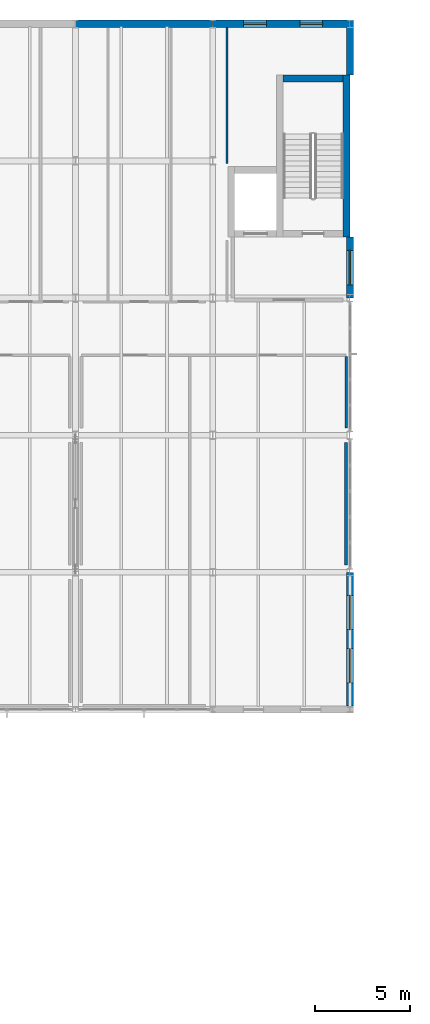
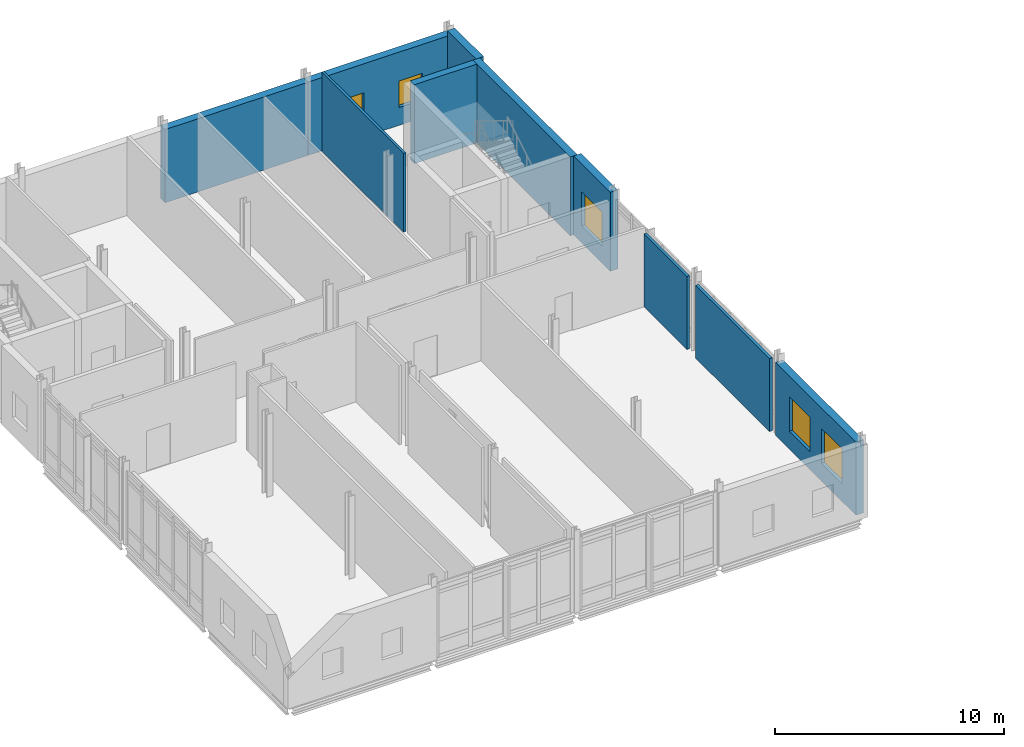
# One storey, part 62 of 72: 10 walls, 5 windows, 5 openings.
"""IFC4 building model written with IfcOpenShell, lengths in metres."""

from ifc_helpers import new_model, si_unit, direction, frame, frame_2d, origin, place, context, subcontext, project, spatial, rectangle, extrude, material, layer, layer_set, type_object, element, fill, save


model = new_model("IFC4")

# Units and contexts
model_context = context("Model", 3, precision=1e-05, world=origin(), true_north=direction((0.0, 1.0)))
body_context = subcontext(model_context, "Body", "Model", "MODEL_VIEW")
ifc_project = project(units=[si_unit("LENGTHUNIT", "METRE"), si_unit("AREAUNIT", "SQUARE_METRE"), si_unit("VOLUMEUNIT", "CUBIC_METRE"), si_unit("PLANEANGLEUNIT", "RADIAN"), si_unit("MASSUNIT", "GRAM", prefix="KILO")], contexts=[model_context])

# Site, building, storey
site_placement = place(None, origin())
site = spatial("IfcSite", under=ifc_project, at=site_placement, CompositionType="ELEMENT")
building_placement = place(site_placement, origin())
building = spatial("IfcBuilding", under=site, at=building_placement, Name="Zarrinpeak Specialist Clinic", CompositionType="ELEMENT")
storey_placement = place(building_placement, frame((0.0, 0.0, 9.60009765625)))
storey = spatial("IfcBuildingStorey", under=building, at=storey_placement, Name="L02", CompositionType="ELEMENT", Elevation=9.60009765625)

# Walls
ifc_material_1 = material(Name="Concrete C40/50", Category="concrete")
ifc_layer_1 = layer(ifc_material_1, 0.35009765625)
ifc_layer_set_1 = layer_set([ifc_layer_1], Name="Concrete C40/50")
wall_type_1 = type_object("IfcWallType", Name="WL-CR350", PredefinedType="SHEAR", material=ifc_layer_set_1)
wall_1_placement = place(storey_placement, frame((61.300048828125, 115.125, 0.0), z_axis=(0.0, 0.0, 1.0), x_axis=(1.0, 0.0, 0.0)))
element("IfcWall", 1, at=wall_1_placement, inside=storey, type_object=wall_type_1, Name="L02 Core C12 Shear Wall STN", PredefinedType="SHEAR", context=body_context, shape_type="SweptSolid", body=[
    extrude(rectangle(XDim=3.14990234375, YDim=0.35009765625, at=frame_2d((1.574951171875, 0.0))), origin(), (0.0, 0.0, 1.0), 4.199951171875),
])
wall_2_placement = place(storey_placement, frame((64.625, 106.800048828125, 0.0), z_axis=(0.0, 0.0, 1.0), x_axis=(0.0, 1.0, 0.0)))
element("IfcWall", 2, at=wall_2_placement, inside=storey, type_object=wall_type_1, Name="L02 Core C12 Shear Wall STE", PredefinedType="SHEAR", context=body_context, shape_type="SweptSolid", body=[
    extrude(rectangle(XDim=8.5, YDim=0.35009765625, at=frame_2d((4.25, 0.0))), origin(), (0.0, 0.0, 1.0), 4.199951171875),
])
ifc_material_2 = material(Name="Precast concrete C40/50", Category="concrete")
ifc_layer_2 = layer(ifc_material_2, 0.3798828125)
ifc_layer_set_2 = layer_set([ifc_layer_2], Name="Precast concrete C40/50")
wall_type_2 = type_object("IfcWallType", Name="WL-EW380", PredefinedType="STANDARD", material=ifc_layer_set_2)
wall_3_placement = place(storey_placement, frame((57.60009765625, 118.0, 0.0), z_axis=(0.0, 0.0, 1.0), x_axis=(-1.0, 0.0, 0.0)))
element("IfcWall", 3, at=wall_3_placement, inside=storey, type_object=wall_type_2, Name="L02 V6 Exterior GRC Wall EW-L02-V6-0293", PredefinedType="STANDARD", context=body_context, shape_type="SweptSolid", body=[
    extrude(rectangle(XDim=7.2001953125, YDim=0.3798828125, at=frame_2d((3.60009765625, 0.0))), origin(), (0.0, 0.0, 1.0), 3.89501953125),
])

# Wall, openings, windows
wall_4_placement = place(storey_placement, frame((64.989990234375, 118.0, 0.0), z_axis=(0.0, 0.0, 1.0), x_axis=(-1.0, 0.0, 0.0)))
wall_4 = element("IfcWall", 4, at=wall_4_placement, inside=storey, type_object=wall_type_2, Name="L02 V6 Exterior GRC Wall EW-L02-V6-0294", PredefinedType="STANDARD", context=body_context, shape_type="SweptSolid", body=[
    extrude(rectangle(XDim=7.389892578125, YDim=0.3798828125, at=frame_2d((3.69482421875, 0.0))), origin(), (0.0, 0.0, 1.0), 3.89501953125),
])
opening_1_placement = place(wall_4_placement, frame((1.616943359375, 0.0, 0.949951171875)))
opening_1 = element("IfcOpeningElement", 5, at=opening_1_placement, cuts=wall_4, Name="Opening WS-63", PredefinedType="OPENING", context=body_context, shape_type="SweptSolid", body=[
    extrude(rectangle(XDim=1.199951171875, YDim=1.404052734375, at=frame_2d((0.60009765625, 0.7021484375))), frame((0.0, 0.199951171875, 0.0), z_axis=(0.0, -1.0, 0.0), x_axis=(1.0, 0.0, 0.0)), (0.0, 0.0, 1.0), 0.39990234375),
])
opening_2_placement = place(wall_4_placement, frame((4.572998046875, 0.0, 0.949951171875)))
opening_2 = element("IfcOpeningElement", 6, at=opening_2_placement, cuts=wall_4, Name="Opening WS-63", PredefinedType="OPENING", context=body_context, shape_type="SweptSolid", body=[
    extrude(rectangle(XDim=1.199951171875, YDim=1.404052734375, at=frame_2d((0.60009765625, 0.7021484375))), frame((0.0, 0.199951171875, 0.0), z_axis=(0.0, -1.0, 0.0), x_axis=(1.0, 0.0, 0.0)), (0.0, 0.0, 1.0), 0.39990234375),
])
ifc_material_3 = material(Name="Thermally Broken Aluminium and Low-E Glazing", Category="aluminium")
window_type_1 = type_object("IfcWindowType", Name="WN-SP63", PartitioningType="SINGLE_PANEL", PredefinedType="WINDOW", material=ifc_material_3)
window_1_placement = place(opening_1_placement, origin())
window_1 = element("IfcWindow", 7, at=window_1_placement, inside=storey, type_object=window_type_1, Name="L02 Modular Facade Window WN-L02-0334", OverallHeight=1.404052734375, OverallWidth=1.199951171875, PartitioningType="SINGLE_PANEL", PredefinedType="WINDOW", context=body_context, shape_type="SweptSolid", body=[
    extrude(rectangle(XDim=1.199951171875, YDim=1.404052734375, at=frame_2d((0.60009765625, 0.7021484375))), frame((0.0, 0.030029296875, 0.0), z_axis=(0.0, -1.0, 0.0), x_axis=(1.0, 0.0, 0.0)), (0.0, 0.0, 1.0), 0.06005859375),
])
fill(opening_1, window_1)
window_2_placement = place(opening_2_placement, origin())
window_2 = element("IfcWindow", 8, at=window_2_placement, inside=storey, type_object=window_type_1, Name="L02 Modular Facade Window WN-L02-0335", OverallHeight=1.404052734375, OverallWidth=1.199951171875, PartitioningType="SINGLE_PANEL", PredefinedType="WINDOW", context=body_context, shape_type="SweptSolid", body=[
    extrude(rectangle(XDim=1.199951171875, YDim=1.404052734375, at=frame_2d((0.60009765625, 0.7021484375))), frame((0.0, 0.030029296875, 0.0), z_axis=(0.0, -1.0, 0.0), x_axis=(1.0, 0.0, 0.0)), (0.0, 0.0, 1.0), 0.06005859375),
])
fill(opening_2, window_2)

wall_5_placement = place(storey_placement, frame((64.800048828125, 82.18994140625, 0.0), z_axis=(0.0, 0.0, 1.0), x_axis=(0.0, 1.0, 0.0)))
wall_5 = element("IfcWall", 9, at=wall_5_placement, inside=storey, type_object=wall_type_2, Name="L02 V6 Exterior GRC Wall EW-L02-V6-0298", PredefinedType="STANDARD", context=body_context, shape_type="SweptSolid", body=[
    extrude(rectangle(XDim=7.010009765625, YDim=0.3798828125, at=frame_2d((3.5048828125, 0.0))), origin(), (0.0, 0.0, 1.0), 3.889892578125),
])
opening_3_placement = place(wall_5_placement, frame((1.202880859375, 0.0, 0.949951171875)))
opening_3 = element("IfcOpeningElement", 10, at=opening_3_placement, cuts=wall_5, Name="Opening W-06", PredefinedType="OPENING", context=body_context, shape_type="SweptSolid", body=[
    extrude(rectangle(XDim=1.800048828125, YDim=1.85009765625, at=frame_2d((0.89990234375, 0.925048828125))), frame((0.0, 0.199951171875, 0.0), z_axis=(0.0, -1.0, 0.0), x_axis=(1.0, 0.0, 0.0)), (0.0, 0.0, 1.0), 0.39990234375),
])
opening_4_placement = place(wall_5_placement, frame((4.007080078125, 0.0, 0.949951171875)))
opening_4 = element("IfcOpeningElement", 11, at=opening_4_placement, cuts=wall_5, Name="Opening W-06", PredefinedType="OPENING", context=body_context, shape_type="SweptSolid", body=[
    extrude(rectangle(XDim=1.800048828125, YDim=1.85009765625, at=frame_2d((0.89990234375, 0.925048828125))), frame((0.0, 0.199951171875, 0.0), z_axis=(0.0, -1.0, 0.0), x_axis=(1.0, 0.0, 0.0)), (0.0, 0.0, 1.0), 0.39990234375),
])
window_type_2 = type_object("IfcWindowType", Name="WN-SQ180", PartitioningType="SINGLE_PANEL", PredefinedType="WINDOW", material=ifc_material_3)
window_3_placement = place(opening_3_placement, origin())
window_3 = element("IfcWindow", 12, at=window_3_placement, inside=storey, type_object=window_type_2, Name="L02 Modular Facade Window WN-L02-0339", OverallHeight=1.85009765625, OverallWidth=1.800048828125, PartitioningType="SINGLE_PANEL", PredefinedType="WINDOW", context=body_context, shape_type="SweptSolid", body=[
    extrude(rectangle(XDim=1.800048828125, YDim=1.85009765625, at=frame_2d((0.89990234375, 0.925048828125))), frame((0.0, 0.030029296875, 0.0), z_axis=(0.0, -1.0, 0.0), x_axis=(1.0, 0.0, 0.0)), (0.0, 0.0, 1.0), 0.06005859375),
])
fill(opening_3, window_3)
window_4_placement = place(opening_4_placement, origin())
window_4 = element("IfcWindow", 13, at=window_4_placement, inside=storey, type_object=window_type_2, Name="L02 Modular Facade Window WN-L02-0340", OverallHeight=1.85009765625, OverallWidth=1.800048828125, PartitioningType="SINGLE_PANEL", PredefinedType="WINDOW", context=body_context, shape_type="SweptSolid", body=[
    extrude(rectangle(XDim=1.800048828125, YDim=1.85009765625, at=frame_2d((0.89990234375, 0.925048828125))), frame((0.0, 0.030029296875, 0.0), z_axis=(0.0, -1.0, 0.0), x_axis=(1.0, 0.0, 0.0)), (0.0, 0.0, 1.0), 0.06005859375),
])
fill(opening_4, window_4)

# Wall, opening, window
wall_6_placement = place(storey_placement, frame((64.800048828125, 103.60009765625, 0.0), z_axis=(0.0, 0.0, 1.0), x_axis=(0.0, 1.0, 0.0)))
wall_6 = element("IfcWall", 14, at=wall_6_placement, inside=storey, type_object=wall_type_2, Name="L02 V6 Exterior GRC Wall EW-L02-V6-0299", PredefinedType="STANDARD", context=body_context, shape_type="SweptSolid", body=[
    extrude(rectangle(XDim=3.199951171875, YDim=0.3798828125, at=frame_2d((1.60009765625, 0.0))), origin(), (0.0, 0.0, 1.0), 4.199951171875),
])
opening_5_placement = place(wall_6_placement, frame((0.699951171875, 0.0, 0.89990234375)))
opening_5 = element("IfcOpeningElement", 15, at=opening_5_placement, cuts=wall_6, Name="Opening W-01", PredefinedType="OPENING", context=body_context, shape_type="SweptSolid", body=[
    extrude(rectangle(XDim=1.800048828125, YDim=1.800048828125, at=frame_2d((0.89990234375, 0.89990234375))), frame((0.0, 0.199951171875, 0.0), z_axis=(0.0, -1.0, 0.0), x_axis=(1.0, 0.0, 0.0)), (0.0, 0.0, 1.0), 0.39990234375),
])
window_type_3 = type_object("IfcWindowType", Name="WN-CL180", PartitioningType="SINGLE_PANEL", PredefinedType="WINDOW", material=ifc_material_3)
window_5_placement = place(opening_5_placement, origin())
window_5 = element("IfcWindow", 16, at=window_5_placement, inside=storey, type_object=window_type_3, Name="L02 Modular Facade Window WN-L02-0341", OverallHeight=1.800048828125, OverallWidth=1.800048828125, PartitioningType="SINGLE_PANEL", PredefinedType="WINDOW", context=body_context, shape_type="SweptSolid", body=[
    extrude(rectangle(XDim=1.800048828125, YDim=1.800048828125, at=frame_2d((0.89990234375, 0.89990234375))), frame((0.0, 0.030029296875, 0.0), z_axis=(0.0, -1.0, 0.0), x_axis=(1.0, 0.0, 0.0)), (0.0, 0.0, 1.0), 0.06005859375),
])
fill(opening_5, window_5)

# Walls
wall_7_placement = place(storey_placement, frame((64.800048828125, 115.300048828125, 0.0), z_axis=(0.0, 0.0, 1.0), x_axis=(0.0, 1.0, 0.0)))
element("IfcWall", 17, at=wall_7_placement, inside=storey, type_object=wall_type_2, Name="L02 V6 Exterior GRC Wall EW-L02-V6-0300", PredefinedType="STANDARD", context=body_context, shape_type="SweptSolid", body=[
    extrude(rectangle(XDim=2.510009765625, YDim=0.3798828125, at=frame_2d((1.2548828125, 0.0))), origin(), (0.0, 0.0, 1.0), 4.199951171875),
])
ifc_material_4 = material(Name="Moisture-Resistant Wet-Room Partition", Category="gypsum")
ifc_layer_3 = layer(ifc_material_4, 0.125)
ifc_layer_set_3 = layer_set([ifc_layer_3], Name="Moisture-Resistant Wet-Room Partition")
wall_type_3 = type_object("IfcWallType", Name="WL-IW125W", PredefinedType="PARTITIONING", material=ifc_layer_set_3)
wall_8_placement = place(storey_placement, frame((58.35009765625, 110.675048828125, 0.0), z_axis=(0.0, 0.0, 1.0), x_axis=(0.0, 1.0, 0.0)))
element("IfcWall", 18, at=wall_8_placement, inside=storey, type_object=wall_type_3, Name="L02 Accessible Staff WC Dividing Partition", PredefinedType="PARTITIONING", context=body_context, shape_type="SweptSolid", body=[
    extrude(rectangle(XDim=7.125, YDim=0.125, at=frame_2d((3.5625, 0.0))), origin(), (0.0, 0.0, 1.0), 4.199951171875),
])
ifc_material_5 = material(Name="Standard Drywall Partition", Category="gypsum")
ifc_layer_4 = layer(ifc_material_5, 0.135009765625)
ifc_layer_set_4 = layer_set([ifc_layer_4], Name="Standard Drywall Partition")
wall_type_4 = type_object("IfcWallType", Name="WL-IW135", PredefinedType="PARTITIONING", material=ifc_layer_set_4)
wall_9_placement = place(storey_placement, frame((64.60009765625, 96.780029296875, 0.0), z_axis=(0.0, 0.0, 1.0), x_axis=(0.0, 1.0, 0.0)))
element("IfcWall", 19, at=wall_9_placement, inside=storey, type_object=wall_type_4, Name="L02 Specialist Consultation Room 3 Dividing Partition", PredefinedType="PARTITIONING", context=body_context, shape_type="SweptSolid", body=[
    extrude(rectangle(XDim=3.7490234375, YDim=0.135009765625, at=frame_2d((1.87451171875, 0.0))), origin(), (0.0, 0.0, 1.0), 3.885009765625),
])
ifc_material_6 = material(Name="Acoustic Consultation Stud Partition", Category="gypsum")
ifc_layer_5 = layer(ifc_material_6, 0.14208984375)
ifc_layer_set_5 = layer_set([ifc_layer_5], Name="Acoustic Consultation Stud Partition")
wall_type_5 = type_object("IfcWallType", Name="WL-IW142", PredefinedType="PARTITIONING", material=ifc_layer_set_5)
wall_10_placement = place(storey_placement, frame((64.60009765625, 89.580078125, 0.0), z_axis=(0.0, 0.0, 1.0), x_axis=(0.0, 1.0, 0.0)))
element("IfcWall", 20, at=wall_10_placement, inside=storey, type_object=wall_type_5, Name="L02 Specialist Consultation Room 3 Dividing Partition", PredefinedType="PARTITIONING", context=body_context, shape_type="SweptSolid", body=[
    extrude(rectangle(XDim=6.43994140625, YDim=0.14208984375, at=frame_2d((3.219970703125, 0.0))), origin(), (0.0, 0.0, 1.0), 3.885009765625),
])

save(model, "model.ifc")
